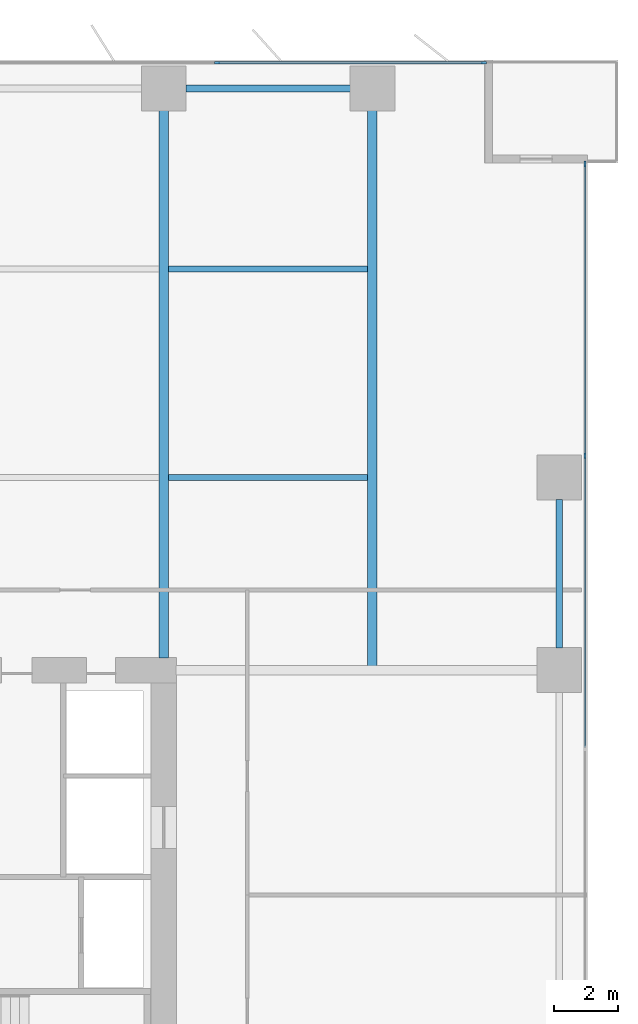
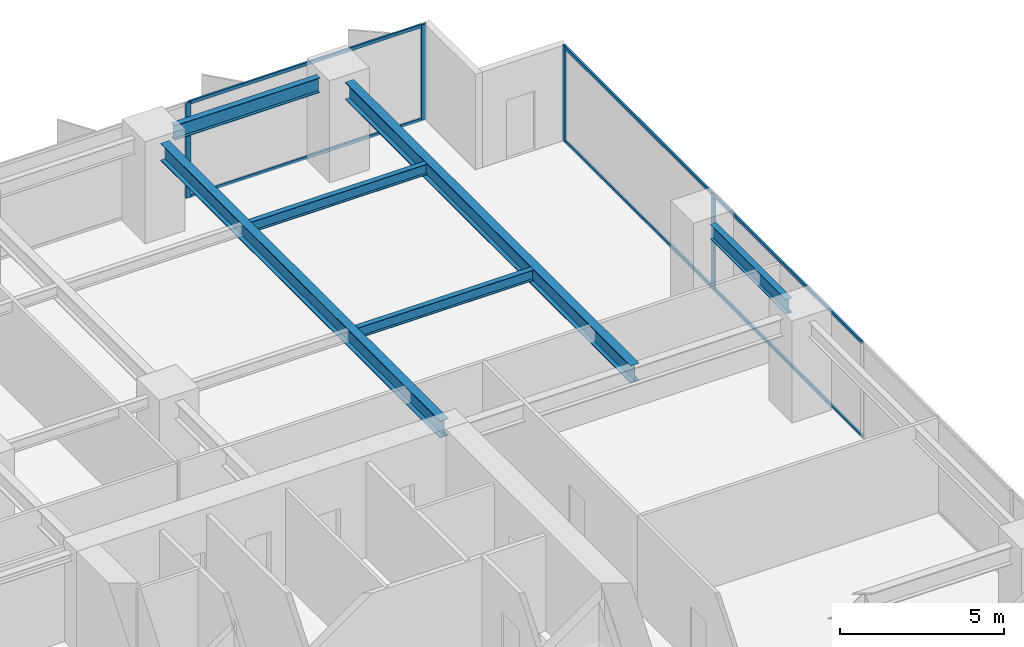
# One storey, part 11 of 20: 10 members, 6 beams, 2 elements without a shape of their own.
"""IFC4 building model written with IfcOpenShell, lengths in metres."""

from ifc_helpers import new_model, si_unit, direction, frame, origin, origin_2d, place, context, subcontext, project, spatial, rectangle, i_section, extrude, material, layer, layer_set, material_profile, profile_set, type_object, element, aggregate, save


model = new_model("IFC4")

# Units and contexts
model_context = context("Model", 3, precision=1e-05, world=origin(), true_north=direction((0.0, 1.0)))
body_context = subcontext(model_context, "Body", "Model", "MODEL_VIEW")
ifc_project = project(units=[si_unit("LENGTHUNIT", "METRE"), si_unit("AREAUNIT", "SQUARE_METRE"), si_unit("VOLUMEUNIT", "CUBIC_METRE"), si_unit("PLANEANGLEUNIT", "RADIAN"), si_unit("MASSUNIT", "GRAM", prefix="KILO")], contexts=[model_context])

# Site, building, storey
site_placement = place(None, origin())
site = spatial("IfcSite", under=ifc_project, at=site_placement, CompositionType="ELEMENT")
building_placement = place(site_placement, origin())
building = spatial("IfcBuilding", under=site, at=building_placement, Name="Putna Gate Headquarters", CompositionType="ELEMENT")
storey_placement = place(building_placement, frame((0.0, 0.0, 62.0)))
storey = spatial("IfcBuildingStorey", under=building, at=storey_placement, Name="L14", CompositionType="ELEMENT", Elevation=62.0)

# Beams
ifc_material_1 = material(Name="Steel S355J2", Category="steel")
ifc_material_profile_1 = material_profile(ifc_material_1, i_section(OverallWidth=0.300048828125, OverallDepth=0.64990234375, WebThickness=0.01611328125, FlangeThickness=0.031005859375, at=origin_2d()), Name="Steel S355J2")
ifc_profile_set_1 = profile_set([ifc_material_profile_1], Name="Steel S355J2")
beam_type_1 = type_object("IfcBeamType", Name="BM-GIRD-Z1-HEB650", PredefinedType="USERDEFINED", material=ifc_profile_set_1)
beam_1_placement = place(storey_placement, frame((65.0, 33.385009765625, 3.22509765625), z_axis=(0.0, 1.0, 0.0), x_axis=(-1.0, 0.0, 0.0)))
element("IfcBeam", 1, at=beam_1_placement, inside=storey, type_object=beam_type_1, Name="L14 North Primary Girder X65", ObjectType="GIRDER", PredefinedType="USERDEFINED", context=body_context, shape_type="SweptSolid", body=[
    extrude(i_section(OverallWidth=0.300048828125, OverallDepth=0.64990234375, WebThickness=0.01611328125, FlangeThickness=0.031005859375, at=origin_2d()), origin(), (0.0, 0.0, 1.0), 17.046875),
])
beam_2_placement = place(storey_placement, frame((71.5, 33.011962890625, 3.22509765625), z_axis=(0.0, 1.0, 0.0), x_axis=(-1.0, 0.0, 0.0)))
element("IfcBeam", 2, at=beam_2_placement, inside=storey, type_object=beam_type_1, Name="L14 North Primary Girder X71", ObjectType="GIRDER", PredefinedType="USERDEFINED", context=body_context, shape_type="SweptSolid", body=[
    extrude(i_section(OverallWidth=0.300048828125, OverallDepth=0.64990234375, WebThickness=0.01611328125, FlangeThickness=0.031005859375, at=origin_2d()), origin(), (0.0, 0.0, 1.0), 17.419921875),
])
ifc_material_profile_2 = material_profile(ifc_material_1, i_section(OverallWidth=0.179931640625, OverallDepth=0.39990234375, WebThickness=0.008544921875, FlangeThickness=0.013427734375, at=origin_2d()), Name="Steel S355J2")
ifc_profile_set_2 = profile_set([ifc_material_profile_2], Name="Steel S355J2")
beam_type_2 = type_object("IfcBeamType", Name="BM-SEC-Z1-IPE400", PredefinedType="BEAM", material=ifc_profile_set_2)
for number, where, z_axis, x_axis, name in (
    (3, (65.154052734375, 39.0, 3.35009765625), (1.0, 0.0, 0.0), (0.0, 1.0, 0.0), "L14 North Secondary Beam 10"),
    (4, (65.154052734375, 45.5, 3.35009765625), (1.0, 0.0, 0.0), (0.0, 1.0, 0.0), "L14 North Secondary Beam 10"),
):
    element("IfcBeam", number, at=place(storey_placement, frame(where, z_axis=z_axis, x_axis=x_axis)), inside=storey, type_object=beam_type_2, Name=name, PredefinedType="BEAM", context=body_context, shape_type="SweptSolid", body=[
        extrude(i_section(OverallWidth=0.179931640625, OverallDepth=0.39990234375, WebThickness=0.008544921875, FlangeThickness=0.013427734375, at=origin_2d()), origin(), (0.0, 0.0, 1.0), 6.19189453125),
    ])
ifc_material_profile_3 = material_profile(ifc_material_1, i_section(OverallWidth=0.2099609375, OverallDepth=0.550048828125, WebThickness=0.010986328125, FlangeThickness=0.01708984375, at=origin_2d()), Name="Steel S355J2")
ifc_profile_set_3 = profile_set([ifc_material_profile_3], Name="Steel S355J2")
beam_type_3 = type_object("IfcBeamType", Name="BM-SPAN-Z1-IPE550", PredefinedType="SPANDREL", material=ifc_profile_set_3)
beam_3_placement = place(storey_placement, frame((65.68798828125, 51.1201171875, 3.27490234375), z_axis=(1.0, 0.0, 0.0), x_axis=(0.0, 1.0, 0.0)))
element("IfcBeam", 5, at=beam_3_placement, inside=storey, type_object=beam_type_3, Name="L14 N Perimeter Spandrel 10", PredefinedType="SPANDREL", context=body_context, shape_type="SweptSolid", body=[
    extrude(i_section(OverallWidth=0.2099609375, OverallDepth=0.550048828125, WebThickness=0.010986328125, FlangeThickness=0.01708984375, at=origin_2d()), origin(), (0.0, 0.0, 1.0), 5.1240234375),
])
beam_4_placement = place(storey_placement, frame((77.320068359375, 33.68798828125, 3.27490234375), z_axis=(0.0, 1.0, 0.0), x_axis=(-1.0, 0.0, 0.0)))
element("IfcBeam", 6, at=beam_4_placement, inside=storey, type_object=beam_type_3, Name="L14 E End Spandrel 3", PredefinedType="SPANDREL", context=body_context, shape_type="SweptSolid", body=[
    extrude(i_section(OverallWidth=0.2099609375, OverallDepth=0.550048828125, WebThickness=0.010986328125, FlangeThickness=0.01708984375, at=origin_2d()), origin(), (0.0, 0.0, 1.0), 4.6240234375),
])

# Curtain wall, members
ifc_material_2 = material(Name="Anodised bronze aluminium curtain wall", Category="aluminium")
ifc_layer = layer(ifc_material_2, 0.179931640625)
ifc_layer_set = layer_set([ifc_layer], Name="Anodised bronze aluminium curtain wall")
curtain_wall_type = type_object("IfcCurtainWallType", Name="CW-SYS-Z1", PredefinedType="USERDEFINED", material=ifc_layer_set)
curtain_wall_1_placement = place(storey_placement, origin())
curtain_wall_1 = element("IfcCurtainWall", 7, at=curtain_wall_1_placement, inside=storey, type_object=curtain_wall_type, Name="L14 North East Curtain Wall", ObjectType="STICK CURTAIN WALL", PredefinedType="USERDEFINED")
ifc_material_3 = material(Name="Anodised bronze aluminium EN AW-6060", Category="aluminium")
ifc_material_profile_4 = material_profile(ifc_material_3, rectangle(XDim=0.070068359375, YDim=0.179931640625, at=origin_2d()), Name="Anodised bronze aluminium EN AW-6060")
ifc_profile_set_4 = profile_set([ifc_material_profile_4], Name="Anodised bronze aluminium EN AW-6060")
member_type_1 = type_object("IfcMemberType", Name="MULL-CWM-1", PredefinedType="MULLION", material=ifc_profile_set_4)
member_1_placement = place(storey_placement, frame((66.666748046875, 51.919921875, 0.0), z_axis=(0.0, 0.0, 1.0), x_axis=(0.0, 1.0, 0.0)))
member_1 = element("IfcMember", 8, at=member_1_placement, type_object=member_type_1, Name="CWS-1 mullion 3", PredefinedType="MULLION", context=body_context, shape_type="SweptSolid", body=[
    extrude(rectangle(XDim=0.070068359375, YDim=0.179931640625, at=origin_2d()), origin(), (0.0, 0.0, 1.0), 3.550048828125),
])
member_2_placement = place(storey_placement, frame((74.965087890625, 51.919921875, 0.0), z_axis=(0.0, 0.0, 1.0), x_axis=(0.0, 1.0, 0.0)))
member_2 = element("IfcMember", 9, at=member_2_placement, type_object=member_type_1, Name="CWS-1 mullion 4", PredefinedType="MULLION", context=body_context, shape_type="SweptSolid", body=[
    extrude(rectangle(XDim=0.070068359375, YDim=0.179931640625, at=origin_2d()), origin(), (0.0, 0.0, 1.0), 3.550048828125),
])

curtain_wall_2_placement = place(storey_placement, origin())
curtain_wall_2 = element("IfcCurtainWall", 10, at=curtain_wall_2_placement, inside=storey, type_object=curtain_wall_type, Name="L14 East Curtain Wall", ObjectType="STICK CURTAIN WALL", PredefinedType="USERDEFINED")
member_3_placement = place(storey_placement, frame((78.1201171875, 39.679931640625, 0.0), z_axis=(0.0, 0.0, 1.0), x_axis=(-1.0, 0.0, 0.0)))
member_3 = element("IfcMember", 11, at=member_3_placement, type_object=member_type_1, Name="CWS-1 mullion 5", PredefinedType="MULLION", context=body_context, shape_type="SweptSolid", body=[
    extrude(rectangle(XDim=0.070068359375, YDim=0.179931640625, at=origin_2d()), origin(), (0.0, 0.0, 1.0), 3.550048828125),
])
member_4_placement = place(storey_placement, frame((78.1201171875, 48.764892578125, 0.0), z_axis=(0.0, 0.0, 1.0), x_axis=(-1.0, 0.0, 0.0)))
member_4 = element("IfcMember", 12, at=member_4_placement, type_object=member_type_1, Name="CWS-1 mullion 6", PredefinedType="MULLION", context=body_context, shape_type="SweptSolid", body=[
    extrude(rectangle(XDim=0.070068359375, YDim=0.179931640625, at=origin_2d()), origin(), (0.0, 0.0, 1.0), 3.550048828125),
])

# Member
ifc_material_profile_5 = material_profile(ifc_material_3, rectangle(XDim=0.06494140625, YDim=0.1201171875, at=origin_2d()), Name="Anodised bronze aluminium EN AW-6060")
ifc_profile_set_5 = profile_set([ifc_material_profile_5], Name="Anodised bronze aluminium EN AW-6060")
member_type_2 = type_object("IfcMemberType", Name="TRAN-CWT-1", PredefinedType="USERDEFINED", material=ifc_profile_set_5)
member_5_placement = place(storey_placement, frame((66.70166015625, 51.919921875, 0.032470703125), z_axis=(1.0, 0.0, 0.0), x_axis=(0.0, 1.0, 0.0)))
member_5 = element("IfcMember", 13, at=member_5_placement, type_object=member_type_2, Name="CWS-1 transom 3.1", ObjectType="TRANSOM", PredefinedType="USERDEFINED", context=body_context, shape_type="SweptSolid", body=[
    extrude(rectangle(XDim=0.06494140625, YDim=0.1201171875, at=origin_2d()), origin(), (0.0, 0.0, 1.0), 8.228271484375),
])

member_6_placement = place(storey_placement, frame((66.70166015625, 51.919921875, 3.517578125), z_axis=(1.0, 0.0, 0.0), x_axis=(0.0, 1.0, 0.0)))
member_6 = element("IfcMember", 14, at=member_6_placement, type_object=member_type_2, Name="CWS-1 transom 3.2", ObjectType="TRANSOM", PredefinedType="USERDEFINED", context=body_context, shape_type="SweptSolid", body=[
    extrude(rectangle(XDim=0.06494140625, YDim=0.1201171875, at=origin_2d()), origin(), (0.0, 0.0, 1.0), 8.228271484375),
])

aggregate(curtain_wall_1, [member_1, member_2, member_5, member_6])

member_7_placement = place(storey_placement, frame((78.1201171875, 30.594970703125, 0.032470703125), z_axis=(0.0, 1.0, 0.0), x_axis=(-1.0, 0.0, 0.0)))
member_7 = element("IfcMember", 15, at=member_7_placement, type_object=member_type_2, Name="CWS-1 transom 4.1", ObjectType="TRANSOM", PredefinedType="USERDEFINED", context=body_context, shape_type="SweptSolid", body=[
    extrude(rectangle(XDim=0.06494140625, YDim=0.1201171875, at=origin_2d()), origin(), (0.0, 0.0, 1.0), 9.050048828125),
])

member_8_placement = place(storey_placement, frame((78.1201171875, 30.594970703125, 3.517578125), z_axis=(0.0, 1.0, 0.0), x_axis=(-1.0, 0.0, 0.0)))
member_8 = element("IfcMember", 16, at=member_8_placement, type_object=member_type_2, Name="CWS-1 transom 4.2", ObjectType="TRANSOM", PredefinedType="USERDEFINED", context=body_context, shape_type="SweptSolid", body=[
    extrude(rectangle(XDim=0.06494140625, YDim=0.1201171875, at=origin_2d()), origin(), (0.0, 0.0, 1.0), 9.050048828125),
])

member_9_placement = place(storey_placement, frame((78.1201171875, 39.715087890625, 0.032470703125), z_axis=(0.0, 1.0, 0.0), x_axis=(-1.0, 0.0, 0.0)))
member_9 = element("IfcMember", 17, at=member_9_placement, type_object=member_type_2, Name="CWS-1 transom 5.1", ObjectType="TRANSOM", PredefinedType="USERDEFINED", context=body_context, shape_type="SweptSolid", body=[
    extrude(rectangle(XDim=0.06494140625, YDim=0.1201171875, at=origin_2d()), origin(), (0.0, 0.0, 1.0), 9.014892578125),
])

member_10_placement = place(storey_placement, frame((78.1201171875, 39.715087890625, 3.517578125), z_axis=(0.0, 1.0, 0.0), x_axis=(-1.0, 0.0, 0.0)))
member_10 = element("IfcMember", 18, at=member_10_placement, type_object=member_type_2, Name="CWS-1 transom 5.2", ObjectType="TRANSOM", PredefinedType="USERDEFINED", context=body_context, shape_type="SweptSolid", body=[
    extrude(rectangle(XDim=0.06494140625, YDim=0.1201171875, at=origin_2d()), origin(), (0.0, 0.0, 1.0), 9.014892578125),
])

aggregate(curtain_wall_2, [member_3, member_4, member_7, member_8, member_9, member_10])

save(model, "model.ifc")
